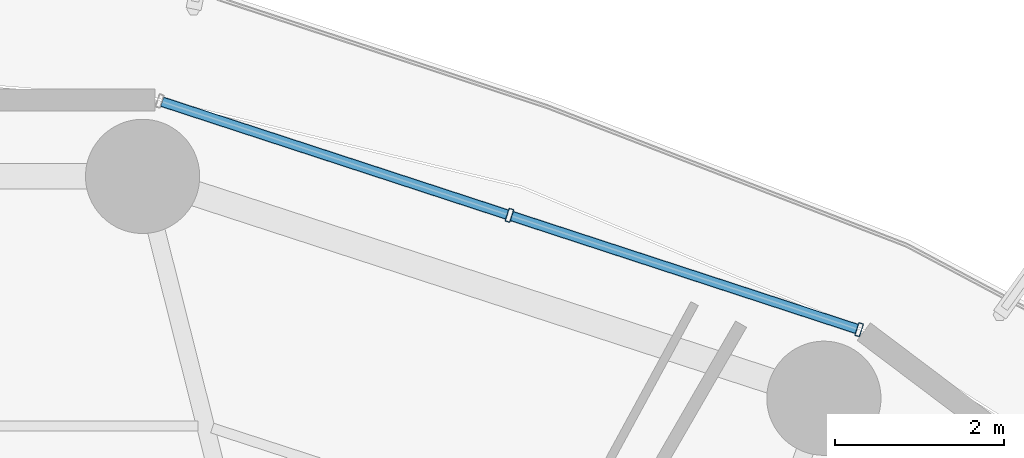
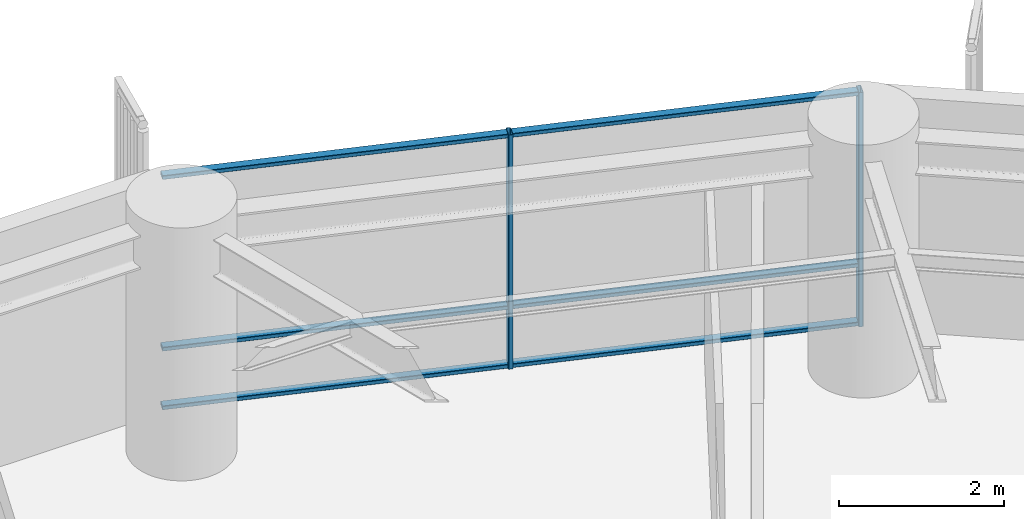
# One storey, part 25 of 35: 8 members, 1 element without a shape of its own.
"""IFC4 building model written with IfcOpenShell, lengths in metres."""

from ifc_helpers import new_model, si_unit, direction, frame, origin, origin_2d, place, context, subcontext, project, spatial, hollow_rectangle, extrude, material, layer, layer_set, material_profile, profile_set, type_object, element, aggregate, save


model = new_model("IFC4")

# Units and contexts
model_context = context("Model", 3, precision=1e-05, world=origin(), true_north=direction((0.0, 1.0)))
body_context = subcontext(model_context, "Body", "Model", "MODEL_VIEW")
ifc_project = project(units=[si_unit("LENGTHUNIT", "METRE"), si_unit("AREAUNIT", "SQUARE_METRE"), si_unit("VOLUMEUNIT", "CUBIC_METRE"), si_unit("PLANEANGLEUNIT", "RADIAN"), si_unit("MASSUNIT", "GRAM", prefix="KILO")], contexts=[model_context])

# Site, building, storey
site_placement = place(None, origin())
site = spatial("IfcSite", under=ifc_project, at=site_placement, CompositionType="ELEMENT")
building_placement = place(site_placement, origin())
building = spatial("IfcBuilding", under=site, at=building_placement, Name="Kelanora Arch Commons", CompositionType="ELEMENT")
storey_placement = place(building_placement, frame((0.0, 0.0, 121.35009765625)))
storey = spatial("IfcBuildingStorey", under=building, at=storey_placement, Name="L31", CompositionType="ELEMENT", Elevation=121.35009765625)

# Curtain wall, members
ifc_material_1 = material(Name="Terracotta ceramic-fritted low-E glass and aluminium", Category="masonry")
ifc_layer = layer(ifc_material_1, 0.159912109375)
ifc_layer_set = layer_set([ifc_layer], Name="Terracotta ceramic-fritted low-E glass and aluminium")
curtain_wall_type = type_object("IfcCurtainWallType", Name="CW-SYS-01", PredefinedType="NOTDEFINED", material=ifc_layer_set)
curtain_wall_placement = place(storey_placement, origin())
curtain_wall = element("IfcCurtainWall", 1, at=curtain_wall_placement, inside=storey, type_object=curtain_wall_type, Name="Unitised Curtain Wall L31-B03", PredefinedType="NOTDEFINED")
ifc_material_2 = material(Name="Powder-coated aluminium terracotta", Category="masonry")
ifc_material_profile_1 = material_profile(ifc_material_2, hollow_rectangle(XDim=0.159912109375, YDim=0.06005859375, WallThickness=0.0048828125, InnerFilletRadius=0.0048828125, OuterFilletRadius=0.010009765625, at=origin_2d()), Name="CWM160x60")
ifc_profile_set_1 = profile_set([ifc_material_profile_1], Name="Powder-coated aluminium terracotta")
member_type_1 = type_object("IfcMemberType", Name="CWM-STD", PredefinedType="MULLION", material=ifc_profile_set_1)
member_1_placement = place(storey_placement, frame((86.757080078125, 77.9326171875, 0.0), z_axis=(0.0, 0.0, 1.0), x_axis=(-0.31080470294, -0.950473795867, 0.0)))
member_1 = element("IfcMember", 2, at=member_1_placement, type_object=member_type_1, Name="CW-01 mullion 1", PredefinedType="MULLION", context=body_context, shape_type="SweptSolid", body=[
    extrude(hollow_rectangle(XDim=0.159912109375, YDim=0.06005859375, WallThickness=0.0048828125, InnerFilletRadius=0.0048828125, OuterFilletRadius=0.010009765625, at=origin_2d()), origin(), (0.0, 0.0, 1.0), 3.474853515625),
])
member_2_placement = place(storey_placement, frame((82.622802734375, 79.28466796875, 0.0), z_axis=(0.0, 0.0, 1.0), x_axis=(-0.31080470294, -0.950473795867, 0.0)))
member_2 = element("IfcMember", 3, at=member_2_placement, type_object=member_type_1, Name="CW-01 mullion 2", PredefinedType="MULLION", context=body_context, shape_type="SweptSolid", body=[
    extrude(hollow_rectangle(XDim=0.159912109375, YDim=0.06005859375, WallThickness=0.0048828125, InnerFilletRadius=0.0048828125, OuterFilletRadius=0.010009765625, at=origin_2d()), origin(), (0.0, 0.0, 1.0), 3.474853515625),
])
ifc_material_profile_2 = material_profile(ifc_material_2, hollow_rectangle(XDim=0.1201171875, YDim=0.06005859375, WallThickness=0.0048828125, InnerFilletRadius=0.0048828125, OuterFilletRadius=0.010009765625, at=origin_2d()), Name="CWT120x60")
ifc_profile_set_2 = profile_set([ifc_material_profile_2], Name="Powder-coated aluminium terracotta")
member_type_2 = type_object("IfcMemberType", Name="CWT-STD", PredefinedType="USERDEFINED", material=ifc_profile_set_2)
member_3_placement = place(storey_placement, frame((86.728759765625, 77.94189453125, 0.02978515625), z_axis=(-0.950466230394, 0.310827838008, 0.0), x_axis=(-0.310827838008, -0.950466230394, 0.0)))
member_3 = element("IfcMember", 4, at=member_3_placement, type_object=member_type_2, Name="CW-01 transom 1.1", ObjectType="TRANSOM", PredefinedType="USERDEFINED", context=body_context, shape_type="SweptSolid", body=[
    extrude(hollow_rectangle(XDim=0.1201171875, YDim=0.06005859375, WallThickness=0.0048828125, InnerFilletRadius=0.0048828125, OuterFilletRadius=0.010009765625, at=origin_2d()), origin(), (0.0, 0.0, 1.0), 4.2900390625),
])
member_4_placement = place(storey_placement, frame((86.728759765625, 77.94189453125, 0.89990234375), z_axis=(-0.950466230394, 0.310827838008, 0.0), x_axis=(-0.310827838008, -0.950466230394, 0.0)))
member_4 = element("IfcMember", 5, at=member_4_placement, type_object=member_type_2, Name="CW-01 transom 1.2", ObjectType="TRANSOM", PredefinedType="USERDEFINED", context=body_context, shape_type="SweptSolid", body=[
    extrude(hollow_rectangle(XDim=0.1201171875, YDim=0.06005859375, WallThickness=0.0048828125, InnerFilletRadius=0.0048828125, OuterFilletRadius=0.010009765625, at=origin_2d()), origin(), (0.0, 0.0, 1.0), 4.2900390625),
])
member_5_placement = place(storey_placement, frame((86.728759765625, 77.94189453125, 3.44482421875), z_axis=(-0.950466230394, 0.310827838008, 0.0), x_axis=(-0.310827838008, -0.950466230394, 0.0)))
member_5 = element("IfcMember", 6, at=member_5_placement, type_object=member_type_2, Name="CW-01 transom 1.3", ObjectType="TRANSOM", PredefinedType="USERDEFINED", context=body_context, shape_type="SweptSolid", body=[
    extrude(hollow_rectangle(XDim=0.1201171875, YDim=0.06005859375, WallThickness=0.0048828125, InnerFilletRadius=0.0048828125, OuterFilletRadius=0.010009765625, at=origin_2d()), origin(), (0.0, 0.0, 1.0), 4.2900390625),
])
member_6_placement = place(storey_placement, frame((82.59423828125, 79.2939453125, 0.02978515625), z_axis=(-0.950477544745, 0.31079323824, 0.0), x_axis=(-0.31079323824, -0.950477544745, 0.0)))
member_6 = element("IfcMember", 7, at=member_6_placement, type_object=member_type_2, Name="CW-01 transom 2.1", ObjectType="TRANSOM", PredefinedType="USERDEFINED", context=body_context, shape_type="SweptSolid", body=[
    extrude(hollow_rectangle(XDim=0.1201171875, YDim=0.06005859375, WallThickness=0.0048828125, InnerFilletRadius=0.0048828125, OuterFilletRadius=0.010009765625, at=origin_2d()), origin(), (0.0, 0.0, 1.0), 4.289794921875),
])
member_7_placement = place(storey_placement, frame((82.59423828125, 79.2939453125, 0.89990234375), z_axis=(-0.950477544745, 0.31079323824, 0.0), x_axis=(-0.31079323824, -0.950477544745, 0.0)))
member_7 = element("IfcMember", 8, at=member_7_placement, type_object=member_type_2, Name="CW-01 transom 2.2", ObjectType="TRANSOM", PredefinedType="USERDEFINED", context=body_context, shape_type="SweptSolid", body=[
    extrude(hollow_rectangle(XDim=0.1201171875, YDim=0.06005859375, WallThickness=0.0048828125, InnerFilletRadius=0.0048828125, OuterFilletRadius=0.010009765625, at=origin_2d()), origin(), (0.0, 0.0, 1.0), 4.289794921875),
])
member_8_placement = place(storey_placement, frame((82.59423828125, 79.2939453125, 3.44482421875), z_axis=(-0.950477544745, 0.31079323824, 0.0), x_axis=(-0.31079323824, -0.950477544745, 0.0)))
member_8 = element("IfcMember", 9, at=member_8_placement, type_object=member_type_2, Name="CW-01 transom 2.3", ObjectType="TRANSOM", PredefinedType="USERDEFINED", context=body_context, shape_type="SweptSolid", body=[
    extrude(hollow_rectangle(XDim=0.1201171875, YDim=0.06005859375, WallThickness=0.0048828125, InnerFilletRadius=0.0048828125, OuterFilletRadius=0.010009765625, at=origin_2d()), origin(), (0.0, 0.0, 1.0), 4.289794921875),
])
aggregate(curtain_wall, [member_1, member_2, member_3, member_4, member_5, member_6, member_7, member_8])

save(model, "model.ifc")
